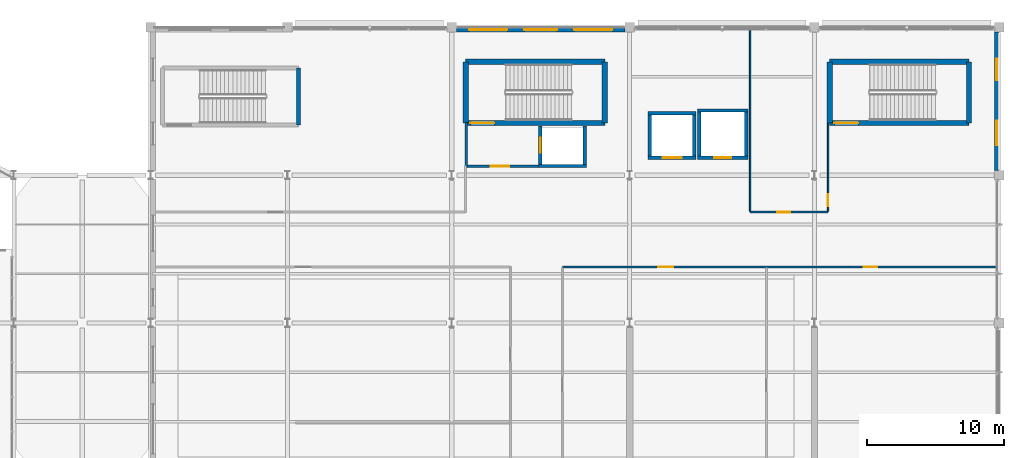
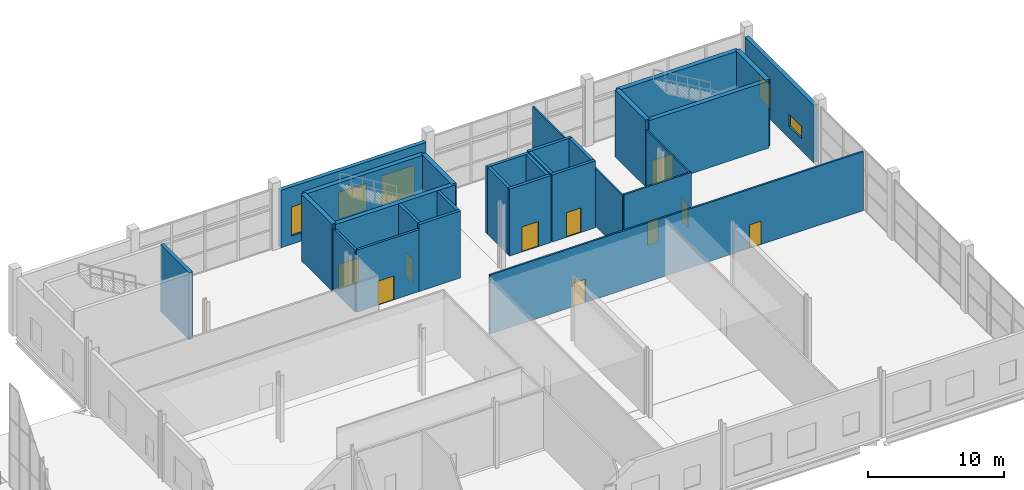
# One storey, part 174 of 191: 28 walls, 10 doors, 5 windows, 15 openings.
"""IFC4 building model written with IfcOpenShell, lengths in metres."""

from ifc_helpers import new_model, si_unit, direction, frame, frame_2d, origin, place, context, subcontext, project, spatial, rectangle, extrude, material, layer, layer_set, type_object, element, fill, save


model = new_model("IFC4")

# Units and contexts
model_context = context("Model", 3, precision=1e-05, world=origin(), true_north=direction((0.0, 1.0)))
body_context = subcontext(model_context, "Body", "Model", "MODEL_VIEW")
ifc_project = project(units=[si_unit("LENGTHUNIT", "METRE"), si_unit("AREAUNIT", "SQUARE_METRE"), si_unit("VOLUMEUNIT", "CUBIC_METRE"), si_unit("PLANEANGLEUNIT", "RADIAN"), si_unit("MASSUNIT", "GRAM", prefix="KILO")], contexts=[model_context])

# Site, building, storey
site_placement = place(None, origin())
site = spatial("IfcSite", under=ifc_project, at=site_placement, CompositionType="ELEMENT")
building_placement = place(site_placement, origin())
building = spatial("IfcBuilding", under=site, at=building_placement, Name="Tamarisk Ironworks Central Station", CompositionType="ELEMENT")
storey_placement = place(building_placement, frame((0.0, 0.0, 6.60009765625)))
storey = spatial("IfcBuildingStorey", under=building, at=storey_placement, Name="L01", CompositionType="ELEMENT", Elevation=6.60009765625)

# Wall, openings, windows
ifc_material_1 = material(Name="Clay facing brickwork and mortar", Category="masonry")
ifc_layer_1 = layer(ifc_material_1, 0.340087890625)
ifc_layer_set_1 = layer_set([ifc_layer_1], Name="Clay facing brickwork and mortar")
wall_type_1 = type_object("IfcWallType", Name="WL-BR340", PredefinedType="STANDARD", material=ifc_layer_set_1)
wall_1_placement = place(storey_placement, frame((140.347900390625, 122.22998046875, 0.0), z_axis=(0.0, 0.0, 1.0), x_axis=(1.0, 0.0, 0.0)))
wall_1 = element("IfcWall", 1, at=wall_1_placement, inside=storey, type_object=wall_type_1, Name="L01 brick facade wall 0055", PredefinedType="STANDARD", context=body_context, shape_type="SweptSolid", body=[
    extrude(rectangle(XDim=12.30419921875, YDim=0.340087890625, at=frame_2d((6.152099609375, 0.0))), origin(), (0.0, 0.0, 1.0), 5.14990234375),
])
opening_1_placement = place(wall_1_placement, frame((0.9169921875, 0.0, 0.75)))
opening_1 = element("IfcOpeningElement", 2, at=opening_1_placement, cuts=wall_1, Name="Opening W04", PredefinedType="OPENING", context=body_context, shape_type="SweptSolid", body=[
    extrude(rectangle(XDim=2.800048828125, YDim=2.60009765625, at=frame_2d((1.39990234375, 1.300048828125))), frame((0.0, 0.18212890625, 0.0), z_axis=(0.0, -1.0, 0.0), x_axis=(1.0, 0.0, 0.0)), (0.0, 0.0, 1.0), 0.364013671875),
])
opening_2_placement = place(wall_1_placement, frame((4.951904296875, 0.0, 0.75)))
opening_2 = element("IfcOpeningElement", 3, at=opening_2_placement, cuts=wall_1, Name="Opening W06", PredefinedType="OPENING", context=body_context, shape_type="SweptSolid", body=[
    extrude(rectangle(XDim=2.39990234375, YDim=2.39990234375, at=frame_2d((1.199951171875, 1.199951171875))), frame((0.0, 0.18212890625, 0.0), z_axis=(0.0, -1.0, 0.0), x_axis=(1.0, 0.0, 0.0)), (0.0, 0.0, 1.0), 0.364013671875),
])
opening_3_placement = place(wall_1_placement, frame((8.5869140625, 0.0, 0.75)))
opening_3 = element("IfcOpeningElement", 4, at=opening_3_placement, cuts=wall_1, Name="Opening W04", PredefinedType="OPENING", context=body_context, shape_type="SweptSolid", body=[
    extrude(rectangle(XDim=2.800048828125, YDim=2.60009765625, at=frame_2d((1.39990234375, 1.300048828125))), frame((0.0, 0.18212890625, 0.0), z_axis=(0.0, -1.0, 0.0), x_axis=(1.0, 0.0, 0.0)), (0.0, 0.0, 1.0), 0.364013671875),
])
ifc_material_2 = material(Name="Laminated solar-control low-E glass", Category="glass")
window_type_1 = type_object("IfcWindowType", Name="WN-04", PartitioningType="SINGLE_PANEL", PredefinedType="WINDOW", material=ifc_material_2)
window_1_placement = place(opening_1_placement, origin())
window_1 = element("IfcWindow", 5, at=window_1_placement, inside=storey, type_object=window_type_1, Name="L01 exterior window 0078", OverallHeight=2.60009765625, OverallWidth=2.800048828125, PartitioningType="DOUBLE_PANEL_VERTICAL", PredefinedType="WINDOW", context=body_context, shape_type="SweptSolid", body=[
    extrude(rectangle(XDim=2.800048828125, YDim=2.60009765625, at=frame_2d((1.39990234375, 1.300048828125))), frame((0.0, 0.030029296875, 0.0), z_axis=(0.0, -1.0, 0.0), x_axis=(1.0, 0.0, 0.0)), (0.0, 0.0, 1.0), 0.06005859375),
])
fill(opening_1, window_1)
window_2_placement = place(opening_3_placement, origin())
window_2 = element("IfcWindow", 6, at=window_2_placement, inside=storey, type_object=window_type_1, Name="L01 exterior window 0080", OverallHeight=2.60009765625, OverallWidth=2.800048828125, PartitioningType="DOUBLE_PANEL_VERTICAL", PredefinedType="WINDOW", context=body_context, shape_type="SweptSolid", body=[
    extrude(rectangle(XDim=2.800048828125, YDim=2.60009765625, at=frame_2d((1.39990234375, 1.300048828125))), frame((0.0, 0.030029296875, 0.0), z_axis=(0.0, -1.0, 0.0), x_axis=(1.0, 0.0, 0.0)), (0.0, 0.0, 1.0), 0.06005859375),
])
fill(opening_3, window_2)
window_type_2 = type_object("IfcWindowType", Name="WN-06", PartitioningType="SINGLE_PANEL", PredefinedType="WINDOW", material=ifc_material_2)
window_3_placement = place(opening_2_placement, origin())
window_3 = element("IfcWindow", 7, at=window_3_placement, inside=storey, type_object=window_type_2, Name="L01 exterior window 0079", OverallHeight=2.39990234375, OverallWidth=2.39990234375, PartitioningType="DOUBLE_PANEL_VERTICAL", PredefinedType="WINDOW", context=body_context, shape_type="SweptSolid", body=[
    extrude(rectangle(XDim=2.39990234375, YDim=2.39990234375, at=frame_2d((1.199951171875, 1.199951171875))), frame((0.0, 0.030029296875, 0.0), z_axis=(0.0, -1.0, 0.0), x_axis=(1.0, 0.0, 0.0)), (0.0, 0.0, 1.0), 0.06005859375),
])
fill(opening_2, window_3)

wall_2_placement = place(storey_placement, frame((179.830078125, 122.052001953125, 0.0), z_axis=(0.0, 0.0, 1.0), x_axis=(0.0, -1.0, 0.0)))
wall_2 = element("IfcWall", 8, at=wall_2_placement, inside=storey, type_object=wall_type_1, Name="L01 brick facade wall 0056", PredefinedType="STANDARD", context=body_context, shape_type="SweptSolid", body=[
    extrude(rectangle(XDim=10.10400390625, YDim=0.340087890625, at=frame_2d((5.052001953125, 0.0))), origin(), (0.0, 0.0, 1.0), 5.14990234375),
])
opening_4_placement = place(wall_2_placement, frame((1.926025390625, 0.0, 0.75)))
opening_4 = element("IfcOpeningElement", 9, at=opening_4_placement, cuts=wall_2, Name="Opening W10", PredefinedType="OPENING", context=body_context, shape_type="SweptSolid", body=[
    extrude(rectangle(XDim=1.60009765625, YDim=2.10009765625, at=frame_2d((0.800048828125, 1.050048828125))), frame((0.0, 0.18212890625, 0.0), z_axis=(0.0, -1.0, 0.0), x_axis=(1.0, 0.0, 0.0)), (0.0, 0.0, 1.0), 0.364013671875),
])
opening_5_placement = place(wall_2_placement, frame((6.47802734375, 0.0, 1.050048828125)))
opening_5 = element("IfcOpeningElement", 10, at=opening_5_placement, cuts=wall_2, Name="Opening W18", PredefinedType="OPENING", context=body_context, shape_type="SweptSolid", body=[
    extrude(rectangle(XDim=1.800048828125, YDim=1.10009765625, at=frame_2d((0.89990234375, 0.550048828125))), frame((0.0, 0.18212890625, 0.0), z_axis=(0.0, -1.0, 0.0), x_axis=(1.0, 0.0, 0.0)), (0.0, 0.0, 1.0), 0.364013671875),
])
window_type_3 = type_object("IfcWindowType", Name="WN-10", PartitioningType="SINGLE_PANEL", PredefinedType="WINDOW", material=ifc_material_2)
window_4_placement = place(opening_4_placement, origin())
window_4 = element("IfcWindow", 11, at=window_4_placement, inside=storey, type_object=window_type_3, Name="L01 exterior window 0081", OverallHeight=2.10009765625, OverallWidth=1.60009765625, PartitioningType="DOUBLE_PANEL_VERTICAL", PredefinedType="WINDOW", context=body_context, shape_type="SweptSolid", body=[
    extrude(rectangle(XDim=1.60009765625, YDim=2.10009765625, at=frame_2d((0.800048828125, 1.050048828125))), frame((0.0, 0.030029296875, 0.0), z_axis=(0.0, -1.0, 0.0), x_axis=(1.0, 0.0, 0.0)), (0.0, 0.0, 1.0), 0.06005859375),
])
fill(opening_4, window_4)
window_type_4 = type_object("IfcWindowType", Name="WN-18", PartitioningType="SINGLE_PANEL", PredefinedType="WINDOW", material=ifc_material_2)
window_5_placement = place(opening_5_placement, origin())
window_5 = element("IfcWindow", 12, at=window_5_placement, inside=storey, type_object=window_type_4, Name="L01 exterior window 0082", OverallHeight=1.10009765625, OverallWidth=1.800048828125, PartitioningType="DOUBLE_PANEL_VERTICAL", PredefinedType="WINDOW", context=body_context, shape_type="SweptSolid", body=[
    extrude(rectangle(XDim=1.800048828125, YDim=1.10009765625, at=frame_2d((0.89990234375, 0.550048828125))), frame((0.0, 0.030029296875, 0.0), z_axis=(0.0, -1.0, 0.0), x_axis=(1.0, 0.0, 0.0)), (0.0, 0.0, 1.0), 0.06005859375),
])
fill(opening_5, window_5)

# Wall
ifc_material_3 = material(Name="Concrete C50/60", Category="concrete")
ifc_layer_2 = layer(ifc_material_3, 0.300048828125)
ifc_layer_set_2 = layer_set([ifc_layer_2], Name="Concrete C50/60")
wall_type_2 = type_object("IfcWallType", Name="WL-CW300", PredefinedType="SOLIDWALL", material=ifc_layer_set_2)
wall_3_placement = place(storey_placement, frame((128.794921875, 115.2548828125, 0.0), z_axis=(0.0, 0.0, 1.0), x_axis=(0.0, 1.0, 0.0)))
element("IfcWall", 13, at=wall_3_placement, inside=storey, type_object=wall_type_2, Name="ST-C5 core wall F (L01)", PredefinedType="SOLIDWALL", context=body_context, shape_type="SweptSolid", body=[
    extrude(rectangle(XDim=4.190185546875, YDim=0.300048828125, at=frame_2d((2.09521484375, 0.0))), origin(), (0.0, 0.0, 1.0), 6.0),
])

# Wall, opening, door
ifc_layer_3 = layer(ifc_material_3, 0.3798828125)
ifc_layer_set_3 = layer_set([ifc_layer_3], Name="Concrete C50/60")
wall_type_3 = type_object("IfcWallType", Name="WL-CW380", PredefinedType="SOLIDWALL", material=ifc_layer_set_3)
wall_4_placement = place(storey_placement, frame((141.014892578125, 115.4150390625, 0.0), z_axis=(0.0, 0.0, 1.0), x_axis=(1.0, 0.0, 0.0)))
wall_4 = element("IfcWall", 14, at=wall_4_placement, inside=storey, type_object=wall_type_3, Name="ST-C1 core wall L (L01)", PredefinedType="SOLIDWALL", context=body_context, shape_type="SweptSolid", body=[
    extrude(rectangle(XDim=10.170166015625, YDim=0.3798828125, at=frame_2d((5.0849609375, 0.0))), origin(), (0.0, 0.0, 1.0), 6.0),
])
opening_6_placement = place(wall_4_placement, frame((0.35009765625, 0.0, 0.0048828125)))
opening_6 = element("IfcOpeningElement", 15, at=opening_6_placement, cuts=wall_4, Name="Opening FD03", PredefinedType="OPENING", context=body_context, shape_type="SweptSolid", body=[
    extrude(rectangle(XDim=1.75, YDim=2.199951171875, at=frame_2d((0.875, 1.10009765625))), frame((0.0, 0.201904296875, 0.0), z_axis=(0.0, -1.0, 0.0), x_axis=(1.0, 0.0, 0.0)), (0.0, 0.0, 1.0), 0.40380859375),
])
ifc_material_4 = material(Name="Galvanised hollow-metal door steel", Category="steel")
door_type_1 = type_object("IfcDoorType", Name="DR-FD03", OperationType="NOTDEFINED", PredefinedType="DOOR", material=ifc_material_4)
door_1_placement = place(opening_6_placement, origin())
door_1 = element("IfcDoor", 16, at=door_1_placement, inside=storey, type_object=door_type_1, Name="ST-C1 fire stair door (L01)", OperationType="SINGLE_SWING_RIGHT", OverallHeight=2.199951171875, OverallWidth=1.75, PredefinedType="DOOR", context=body_context, shape_type="SweptSolid", body=[
    extrude(rectangle(XDim=1.75, YDim=2.199951171875, at=frame_2d((0.875, 1.10009765625))), frame((0.0, 0.02490234375, 0.0), z_axis=(0.0, -1.0, 0.0), x_axis=(1.0, 0.0, 0.0)), (0.0, 0.0, 1.0), 0.050048828125),
])
fill(opening_6, door_1)

# Walls
wall_5_placement = place(storey_placement, frame((141.014892578125, 119.885009765625, 0.0), z_axis=(0.0, 0.0, 1.0), x_axis=(1.0, 0.0, 0.0)))
element("IfcWall", 17, at=wall_5_placement, inside=storey, type_object=wall_type_3, Name="ST-C1 core wall R (L01)", PredefinedType="SOLIDWALL", context=body_context, shape_type="SweptSolid", body=[
    extrude(rectangle(XDim=10.170166015625, YDim=0.3798828125, at=frame_2d((5.0849609375, 0.0))), origin(), (0.0, 0.0, 1.0), 6.0),
])
for number, where, z_axis, x_axis, name in (
    (18, (141.014892578125, 115.4150390625, 0.0), (0.0, 0.0, 1.0), (0.0, 1.0, 0.0), "ST-C1 core wall N (L01)"),
    (19, (151.18505859375, 115.4150390625, 0.0), (0.0, 0.0, 1.0), (0.0, 1.0, 0.0), "ST-C1 core wall F (L01)"),
):
    element("IfcWall", number, at=place(storey_placement, frame(where, z_axis=z_axis, x_axis=x_axis)), inside=storey, type_object=wall_type_3, Name=name, PredefinedType="SOLIDWALL", context=body_context, shape_type="SweptSolid", body=[
        extrude(rectangle(XDim=4.469970703125, YDim=0.3798828125, at=frame_2d((2.23486328125, 0.0))), origin(), (0.0, 0.0, 1.0), 6.0),
    ])

# Wall, opening, door
wall_6_placement = place(storey_placement, frame((167.614990234375, 115.4150390625, 0.0), z_axis=(0.0, 0.0, 1.0), x_axis=(1.0, 0.0, 0.0)))
wall_6 = element("IfcWall", 20, at=wall_6_placement, inside=storey, type_object=wall_type_3, Name="ST-C2 core wall L (L01)", PredefinedType="SOLIDWALL", context=body_context, shape_type="SweptSolid", body=[
    extrude(rectangle(XDim=10.169921875, YDim=0.3798828125, at=frame_2d((5.0849609375, 0.0))), origin(), (0.0, 0.0, 1.0), 6.0),
])
opening_7_placement = place(wall_6_placement, frame((0.35009765625, 0.0, 0.0048828125)))
opening_7 = element("IfcOpeningElement", 21, at=opening_7_placement, cuts=wall_6, Name="Opening FD03", PredefinedType="OPENING", context=body_context, shape_type="SweptSolid", body=[
    extrude(rectangle(XDim=1.75, YDim=2.199951171875, at=frame_2d((0.875, 1.10009765625))), frame((0.0, 0.201904296875, 0.0), z_axis=(0.0, -1.0, 0.0), x_axis=(1.0, 0.0, 0.0)), (0.0, 0.0, 1.0), 0.40380859375),
])
door_2_placement = place(opening_7_placement, origin())
door_2 = element("IfcDoor", 22, at=door_2_placement, inside=storey, type_object=door_type_1, Name="ST-C2 fire stair door (L01)", OperationType="SINGLE_SWING_RIGHT", OverallHeight=2.199951171875, OverallWidth=1.75, PredefinedType="DOOR", context=body_context, shape_type="SweptSolid", body=[
    extrude(rectangle(XDim=1.75, YDim=2.199951171875, at=frame_2d((0.875, 1.10009765625))), frame((0.0, 0.02490234375, 0.0), z_axis=(0.0, -1.0, 0.0), x_axis=(1.0, 0.0, 0.0)), (0.0, 0.0, 1.0), 0.050048828125),
])
fill(opening_7, door_2)

# Walls
wall_7_placement = place(storey_placement, frame((167.614990234375, 119.885009765625, 0.0), z_axis=(0.0, 0.0, 1.0), x_axis=(1.0, 0.0, 0.0)))
element("IfcWall", 23, at=wall_7_placement, inside=storey, type_object=wall_type_3, Name="ST-C2 core wall R (L01)", PredefinedType="SOLIDWALL", context=body_context, shape_type="SweptSolid", body=[
    extrude(rectangle(XDim=10.169921875, YDim=0.3798828125, at=frame_2d((5.0849609375, 0.0))), origin(), (0.0, 0.0, 1.0), 6.0),
])
for number, where, z_axis, x_axis, name in (
    (24, (167.614990234375, 115.4150390625, 0.0), (0.0, 0.0, 1.0), (0.0, 1.0, 0.0), "ST-C2 core wall N (L01)"),
    (25, (177.784912109375, 115.4150390625, 0.0), (0.0, 0.0, 1.0), (0.0, 1.0, 0.0), "ST-C2 core wall F (L01)"),
):
    element("IfcWall", number, at=place(storey_placement, frame(where, z_axis=z_axis, x_axis=x_axis)), inside=storey, type_object=wall_type_3, Name=name, PredefinedType="SOLIDWALL", context=body_context, shape_type="SweptSolid", body=[
        extrude(rectangle(XDim=4.469970703125, YDim=0.3798828125, at=frame_2d((2.23486328125, 0.0))), origin(), (0.0, 0.0, 1.0), 6.0),
    ])

# Wall, opening, door
ifc_material_5 = material(Name="Gypsum plasterboard acoustic partition")
ifc_layer_4 = layer(ifc_material_5, 0.1201171875)
ifc_layer_set_4 = layer_set([ifc_layer_4], Name="Gypsum plasterboard acoustic partition")
wall_type_4 = type_object("IfcWallType", Name="WL-PT120", PredefinedType="PARTITIONING", material=ifc_layer_set_4)
wall_8_placement = place(storey_placement, frame((167.5, 108.972900390625, 0.0), z_axis=(0.0, 0.0, 1.0), x_axis=(0.0, 1.0, 0.0)))
wall_8 = element("IfcWall", 26, at=wall_8_placement, inside=storey, type_object=wall_type_4, Name="L01 interior partition 0082", PredefinedType="PARTITIONING", context=body_context, shape_type="SweptSolid", body=[
    extrude(rectangle(XDim=6.427001953125, YDim=0.1201171875, at=frame_2d((3.21337890625, 0.0))), origin(), (0.0, 0.0, 1.0), 5.139892578125),
])
opening_8_placement = place(wall_8_placement, frame((0.35009765625, 0.0, 0.0048828125)))
opening_8 = element("IfcOpeningElement", 27, at=opening_8_placement, cuts=wall_8, Name="Opening D08", PredefinedType="OPENING", context=body_context, shape_type="SweptSolid", body=[
    extrude(rectangle(XDim=0.89990234375, YDim=2.10009765625, at=frame_2d((0.449951171875, 1.050048828125))), frame((0.0, 0.072021484375, 0.0), z_axis=(0.0, -1.0, 0.0), x_axis=(1.0, 0.0, 0.0)), (0.0, 0.0, 1.0), 0.14404296875),
])
ifc_material_6 = material(Name="FSC certified tropical hardwood timber", Category="wood")
door_type_2 = type_object("IfcDoorType", Name="DR-ID08", OperationType="NOTDEFINED", PredefinedType="DOOR", material=ifc_material_6)
door_3_placement = place(opening_8_placement, origin())
door_3 = element("IfcDoor", 28, at=door_3_placement, inside=storey, type_object=door_type_2, Name="L01 room door 0060", OperationType="SINGLE_SWING_RIGHT", OverallHeight=2.10009765625, OverallWidth=0.89990234375, PredefinedType="DOOR", context=body_context, shape_type="SweptSolid", body=[
    extrude(rectangle(XDim=0.89990234375, YDim=2.10009765625, at=frame_2d((0.449951171875, 1.050048828125))), frame((0.0, 0.02490234375, 0.0), z_axis=(0.0, -1.0, 0.0), x_axis=(1.0, 0.0, 0.0)), (0.0, 0.0, 1.0), 0.050048828125),
])
fill(opening_8, door_3)

# Wall
wall_9_placement = place(storey_placement, frame((161.800048828125, 108.972900390625, 0.0), z_axis=(0.0, 0.0, 1.0), x_axis=(0.0, 1.0, 0.0)))
element("IfcWall", 29, at=wall_9_placement, inside=storey, type_object=wall_type_4, Name="L01 interior partition 0083", PredefinedType="PARTITIONING", context=body_context, shape_type="SweptSolid", body=[
    extrude(rectangle(XDim=13.189208984375, YDim=0.1201171875, at=frame_2d((6.5947265625, 0.0))), origin(), (0.0, 0.0, 1.0), 5.139892578125),
])

# Wall, openings, doors
ifc_layer_5 = layer(ifc_material_5, 0.14990234375)
ifc_layer_set_5 = layer_set([ifc_layer_5], Name="Gypsum plasterboard acoustic partition")
wall_type_5 = type_object("IfcWallType", Name="WL-PT150", PredefinedType="PARTITIONING", material=ifc_layer_set_5)
wall_10_placement = place(storey_placement, frame((148.10009765625, 104.89990234375, 0.0), z_axis=(0.0, 0.0, 1.0), x_axis=(1.0, 0.0, 0.0)))
wall_10 = element("IfcWall", 30, at=wall_10_placement, inside=storey, type_object=wall_type_5, Name="L01 interior partition 0074", PredefinedType="PARTITIONING", context=body_context, shape_type="SweptSolid", body=[
    extrude(rectangle(XDim=31.661865234375, YDim=0.14990234375, at=frame_2d((15.8310546875, 0.0))), origin(), (0.0, 0.0, 1.0), 5.289794921875),
])
opening_9_placement = place(wall_10_placement, frame((7.0, 0.0, 0.0048828125)))
opening_9 = element("IfcOpeningElement", 31, at=opening_9_placement, cuts=wall_10, Name="Opening D05", PredefinedType="OPENING", context=body_context, shape_type="SweptSolid", body=[
    extrude(rectangle(XDim=1.10009765625, YDim=2.10009765625, at=frame_2d((0.550048828125, 1.050048828125))), frame((0.0, 0.0869140625, 0.0), z_axis=(0.0, -1.0, 0.0), x_axis=(1.0, 0.0, 0.0)), (0.0, 0.0, 1.0), 0.173828125),
])
opening_10_placement = place(wall_10_placement, frame((22.0, 0.0, 0.0048828125)))
opening_10 = element("IfcOpeningElement", 32, at=opening_10_placement, cuts=wall_10, Name="Opening D06", PredefinedType="OPENING", context=body_context, shape_type="SweptSolid", body=[
    extrude(rectangle(XDim=1.0, YDim=2.10009765625, at=frame_2d((0.5, 1.050048828125))), frame((0.0, 0.0869140625, 0.0), z_axis=(0.0, -1.0, 0.0), x_axis=(1.0, 0.0, 0.0)), (0.0, 0.0, 1.0), 0.173828125),
])
door_type_3 = type_object("IfcDoorType", Name="DR-ID05", OperationType="NOTDEFINED", PredefinedType="DOOR", material=ifc_material_6)
door_4_placement = place(opening_9_placement, origin())
door_4 = element("IfcDoor", 33, at=door_4_placement, inside=storey, type_object=door_type_3, Name="L01 room door 0054", OperationType="SINGLE_SWING_RIGHT", OverallHeight=2.10009765625, OverallWidth=1.10009765625, PredefinedType="DOOR", context=body_context, shape_type="SweptSolid", body=[
    extrude(rectangle(XDim=1.10009765625, YDim=2.10009765625, at=frame_2d((0.550048828125, 1.050048828125))), frame((0.0, 0.02490234375, 0.0), z_axis=(0.0, -1.0, 0.0), x_axis=(1.0, 0.0, 0.0)), (0.0, 0.0, 1.0), 0.050048828125),
])
fill(opening_9, door_4)
door_type_4 = type_object("IfcDoorType", Name="DR-ID06", OperationType="NOTDEFINED", PredefinedType="DOOR", material=ifc_material_6)
door_5_placement = place(opening_10_placement, origin())
door_5 = element("IfcDoor", 34, at=door_5_placement, inside=storey, type_object=door_type_4, Name="L01 room door 0055", OperationType="SINGLE_SWING_LEFT", OverallHeight=2.10009765625, OverallWidth=1.0, PredefinedType="DOOR", context=body_context, shape_type="SweptSolid", body=[
    extrude(rectangle(XDim=1.0, YDim=2.10009765625, at=frame_2d((0.5, 1.050048828125))), frame((0.0, 0.02490234375, 0.0), z_axis=(0.0, -1.0, 0.0), x_axis=(1.0, 0.0, 0.0)), (0.0, 0.0, 1.0), 0.050048828125),
])
fill(opening_10, door_5)

# Wall, opening, door
wall_11_placement = place(storey_placement, frame((161.800048828125, 108.89990234375, 0.0), z_axis=(0.0, 0.0, 1.0), x_axis=(1.0, 0.0, 0.0)))
wall_11 = element("IfcWall", 35, at=wall_11_placement, inside=storey, type_object=wall_type_5, Name="L01 interior partition 0081", PredefinedType="PARTITIONING", context=body_context, shape_type="SweptSolid", body=[
    extrude(rectangle(XDim=5.699951171875, YDim=0.14990234375, at=frame_2d((2.85009765625, 0.0))), origin(), (0.0, 0.0, 1.0), 5.289794921875),
])
opening_11_placement = place(wall_11_placement, frame((2.0, 0.0, 0.0048828125)))
opening_11 = element("IfcOpeningElement", 36, at=opening_11_placement, cuts=wall_11, Name="Opening D07", PredefinedType="OPENING", context=body_context, shape_type="SweptSolid", body=[
    extrude(rectangle(XDim=0.949951171875, YDim=2.10009765625, at=frame_2d((0.47509765625, 1.050048828125))), frame((0.0, 0.0869140625, 0.0), z_axis=(0.0, -1.0, 0.0), x_axis=(1.0, 0.0, 0.0)), (0.0, 0.0, 1.0), 0.173828125),
])
door_type_5 = type_object("IfcDoorType", Name="DR-ID07", OperationType="NOTDEFINED", PredefinedType="DOOR", material=ifc_material_6)
door_6_placement = place(opening_11_placement, origin())
door_6 = element("IfcDoor", 37, at=door_6_placement, inside=storey, type_object=door_type_5, Name="L01 room door 0059", OperationType="SINGLE_SWING_LEFT", OverallHeight=2.10009765625, OverallWidth=0.949951171875, PredefinedType="DOOR", context=body_context, shape_type="SweptSolid", body=[
    extrude(rectangle(XDim=0.949951171875, YDim=2.10009765625, at=frame_2d((0.47509765625, 1.050048828125))), frame((0.0, 0.02490234375, 0.0), z_axis=(0.0, -1.0, 0.0), x_axis=(1.0, 0.0, 0.0)), (0.0, 0.0, 1.0), 0.050048828125),
])
fill(opening_11, door_6)

ifc_layer_6 = layer(ifc_material_1, 0.199951171875)
ifc_layer_set_6 = layer_set([ifc_layer_6], Name="Clay facing brickwork and mortar")
wall_type_6 = type_object("IfcWallType", Name="WL-PT200", PredefinedType="PARTITIONING", material=ifc_layer_set_6)
wall_12_placement = place(storey_placement, frame((141.050048828125, 112.25, 0.0), z_axis=(0.0, 0.0, 1.0), x_axis=(1.0, 0.0, 0.0)))
wall_12 = element("IfcWall", 38, at=wall_12_placement, inside=storey, type_object=wall_type_6, Name="Firefighting lift lobby south wall (L01)", PredefinedType="PARTITIONING", context=body_context, shape_type="SweptSolid", body=[
    extrude(rectangle(XDim=5.300048828125, YDim=0.199951171875, at=frame_2d((2.64990234375, 0.0))), origin(), (0.0, 0.0, 1.0), 5.5498046875),
])
opening_12_placement = place(wall_12_placement, frame((1.800048828125, 0.0, 0.0048828125)))
opening_12 = element("IfcOpeningElement", 39, at=opening_12_placement, cuts=wall_12, Name="Opening FD05", PredefinedType="OPENING", context=body_context, shape_type="SweptSolid", body=[
    extrude(rectangle(XDim=1.35009765625, YDim=2.14990234375, at=frame_2d((0.675048828125, 1.074951171875))), frame((0.0, 0.11181640625, 0.0), z_axis=(0.0, -1.0, 0.0), x_axis=(1.0, 0.0, 0.0)), (0.0, 0.0, 1.0), 0.223876953125),
])
door_type_6 = type_object("IfcDoorType", Name="DR-FD05", OperationType="NOTDEFINED", PredefinedType="DOOR", material=ifc_material_4)
door_7_placement = place(opening_12_placement, origin())
door_7 = element("IfcDoor", 40, at=door_7_placement, inside=storey, type_object=door_type_6, Name="Firefighting lift lobby fire door (L01)", OperationType="SINGLE_SWING_RIGHT", OverallHeight=2.14990234375, OverallWidth=1.35009765625, PredefinedType="DOOR", context=body_context, shape_type="SweptSolid", body=[
    extrude(rectangle(XDim=1.35009765625, YDim=2.14990234375, at=frame_2d((0.675048828125, 1.074951171875))), frame((0.0, 0.02490234375, 0.0), z_axis=(0.0, -1.0, 0.0), x_axis=(1.0, 0.0, 0.0)), (0.0, 0.0, 1.0), 0.050048828125),
])
fill(opening_12, door_7)

# Walls
wall_13_placement = place(storey_placement, frame((141.050048828125, 112.25, 0.0), z_axis=(0.0, 0.0, 1.0), x_axis=(0.0, 1.0, 0.0)))
element("IfcWall", 41, at=wall_13_placement, inside=storey, type_object=wall_type_6, Name="Firefighting lift lobby west wall (L01)", PredefinedType="PARTITIONING", context=body_context, shape_type="SweptSolid", body=[
    extrude(rectangle(XDim=3.199951171875, YDim=0.199951171875, at=frame_2d((1.60009765625, 0.0))), origin(), (0.0, 0.0, 1.0), 5.5498046875),
])
ifc_layer_7 = layer(ifc_material_3, 0.25)
ifc_layer_set_7 = layer_set([ifc_layer_7], Name="Concrete C50/60")
wall_type_7 = type_object("IfcWallType", Name="WL-SH250", PredefinedType="SOLIDWALL", material=ifc_layer_set_7)
wall_14_placement = place(storey_placement, frame((146.35009765625, 112.27490234375, 0.0), z_axis=(0.0, 0.0, 1.0), x_axis=(1.0, 0.0, 0.0)))
element("IfcWall", 42, at=wall_14_placement, inside=storey, type_object=wall_type_7, Name="LF-FF1 lift shaft wall S (L01)", PredefinedType="SOLIDWALL", context=body_context, shape_type="SweptSolid", body=[
    extrude(rectangle(XDim=3.5, YDim=0.25, at=frame_2d((1.75, 0.0))), origin(), (0.0, 0.0, 1.0), 6.0),
])

# Wall, opening, door
wall_15_placement = place(storey_placement, frame((146.47509765625, 112.39990234375, 0.0), z_axis=(0.0, 0.0, 1.0), x_axis=(0.0, 1.0, 0.0)))
wall_15 = element("IfcWall", 43, at=wall_15_placement, inside=storey, type_object=wall_type_7, Name="LF-FF1 lift shaft wall W (L01)", PredefinedType="SOLIDWALL", context=body_context, shape_type="SweptSolid", body=[
    extrude(rectangle(XDim=2.800048828125, YDim=0.25, at=frame_2d((1.39990234375, 0.0))), origin(), (0.0, 0.0, 1.0), 6.0),
])
opening_13_placement = place(wall_15_placement, frame((0.85009765625, 0.0, 0.0048828125)))
opening_13 = element("IfcOpeningElement", 44, at=opening_13_placement, cuts=wall_15, Name="Opening LD03", PredefinedType="OPENING", context=body_context, shape_type="SweptSolid", body=[
    extrude(rectangle(XDim=1.10009765625, YDim=2.14990234375, at=frame_2d((0.550048828125, 1.074951171875))), frame((0.0, 0.136962890625, 0.0), z_axis=(0.0, -1.0, 0.0), x_axis=(1.0, 0.0, 0.0)), (0.0, 0.0, 1.0), 0.27392578125),
])
ifc_material_7 = material(Name="Brushed stainless steel AISI 316", Category="steel")
door_type_7 = type_object("IfcDoorType", Name="DR-LD03", OperationType="NOTDEFINED", PredefinedType="DOOR", material=ifc_material_7)
door_8_placement = place(opening_13_placement, origin())
door_8 = element("IfcDoor", 45, at=door_8_placement, inside=storey, type_object=door_type_7, Name="LF-FF1 sliding lift landing door (L01)", OperationType="SLIDING_TO_LEFT", OverallHeight=2.14990234375, OverallWidth=1.10009765625, PredefinedType="DOOR", context=body_context, shape_type="SweptSolid", body=[
    extrude(rectangle(XDim=1.10009765625, YDim=2.14990234375, at=frame_2d((0.550048828125, 1.074951171875))), frame((0.0, 0.02490234375, 0.0), z_axis=(0.0, -1.0, 0.0), x_axis=(1.0, 0.0, 0.0)), (0.0, 0.0, 1.0), 0.050048828125),
])
fill(opening_13, door_8)

# Wall
wall_16_placement = place(storey_placement, frame((149.72509765625, 112.39990234375, 0.0), z_axis=(0.0, 0.0, 1.0), x_axis=(0.0, 1.0, 0.0)))
element("IfcWall", 46, at=wall_16_placement, inside=storey, type_object=wall_type_7, Name="LF-FF1 lift shaft wall E (L01)", PredefinedType="SOLIDWALL", context=body_context, shape_type="SweptSolid", body=[
    extrude(rectangle(XDim=2.800048828125, YDim=0.25, at=frame_2d((1.39990234375, 0.0))), origin(), (0.0, 0.0, 1.0), 6.0),
])

# Wall, opening, door
wall_17_placement = place(storey_placement, frame((154.35009765625, 112.875, 0.0), z_axis=(0.0, 0.0, 1.0), x_axis=(1.0, 0.0, 0.0)))
wall_17 = element("IfcWall", 47, at=wall_17_placement, inside=storey, type_object=wall_type_7, Name="LF-O1 lift shaft wall S (L01)", PredefinedType="SOLIDWALL", context=body_context, shape_type="SweptSolid", body=[
    extrude(rectangle(XDim=3.5, YDim=0.25, at=frame_2d((1.75, 0.0))), origin(), (0.0, 0.0, 1.0), 6.0),
])
opening_14_placement = place(wall_17_placement, frame((1.050048828125, 0.0, 0.0048828125)))
opening_14 = element("IfcOpeningElement", 48, at=opening_14_placement, cuts=wall_17, Name="Opening LD01", PredefinedType="OPENING", context=body_context, shape_type="SweptSolid", body=[
    extrude(rectangle(XDim=1.39990234375, YDim=2.25, at=frame_2d((0.699951171875, 1.125))), frame((0.0, 0.136962890625, 0.0), z_axis=(0.0, -1.0, 0.0), x_axis=(1.0, 0.0, 0.0)), (0.0, 0.0, 1.0), 0.27392578125),
])
door_type_8 = type_object("IfcDoorType", Name="DR-LD01", OperationType="NOTDEFINED", PredefinedType="DOOR", material=ifc_material_7)
door_9_placement = place(opening_14_placement, origin())
door_9 = element("IfcDoor", 49, at=door_9_placement, inside=storey, type_object=door_type_8, Name="LF-O1 sliding lift landing door (L01)", OperationType="SLIDING_TO_LEFT", OverallHeight=2.25, OverallWidth=1.39990234375, PredefinedType="DOOR", context=body_context, shape_type="SweptSolid", body=[
    extrude(rectangle(XDim=1.39990234375, YDim=2.25, at=frame_2d((0.699951171875, 1.125))), frame((0.0, 0.02490234375, 0.0), z_axis=(0.0, -1.0, 0.0), x_axis=(1.0, 0.0, 0.0)), (0.0, 0.0, 1.0), 0.050048828125),
])
fill(opening_14, door_9)

# Walls
wall_18_placement = place(storey_placement, frame((154.35009765625, 116.125, 0.0), z_axis=(0.0, 0.0, 1.0), x_axis=(1.0, 0.0, 0.0)))
element("IfcWall", 50, at=wall_18_placement, inside=storey, type_object=wall_type_7, Name="LF-O1 lift shaft wall N (L01)", PredefinedType="SOLIDWALL", context=body_context, shape_type="SweptSolid", body=[
    extrude(rectangle(XDim=3.5, YDim=0.25, at=frame_2d((1.75, 0.0))), origin(), (0.0, 0.0, 1.0), 6.0),
])
for number, where, z_axis, x_axis, name in (
    (51, (154.47509765625, 113.0, 0.0), (0.0, 0.0, 1.0), (0.0, 1.0, 0.0), "LF-O1 lift shaft wall W (L01)"),
    (52, (157.72509765625, 113.0, 0.0), (0.0, 0.0, 1.0), (0.0, 1.0, 0.0), "LF-O1 lift shaft wall E (L01)"),
):
    element("IfcWall", number, at=place(storey_placement, frame(where, z_axis=z_axis, x_axis=x_axis)), inside=storey, type_object=wall_type_7, Name=name, PredefinedType="SOLIDWALL", context=body_context, shape_type="SweptSolid", body=[
        extrude(rectangle(XDim=3.0, YDim=0.25, at=frame_2d((1.5, 0.0))), origin(), (0.0, 0.0, 1.0), 6.0),
    ])

# Wall, opening, door
wall_19_placement = place(storey_placement, frame((157.949951171875, 112.875, 0.0), z_axis=(0.0, 0.0, 1.0), x_axis=(1.0, 0.0, 0.0)))
wall_19 = element("IfcWall", 53, at=wall_19_placement, inside=storey, type_object=wall_type_7, Name="LF-O2 lift shaft wall S (L01)", PredefinedType="SOLIDWALL", context=body_context, shape_type="SweptSolid", body=[
    extrude(rectangle(XDim=3.699951171875, YDim=0.25, at=frame_2d((1.85009765625, 0.0))), origin(), (0.0, 0.0, 1.0), 6.0),
])
opening_15_placement = place(wall_19_placement, frame((1.22509765625, 0.0, 0.0048828125)))
opening_15 = element("IfcOpeningElement", 54, at=opening_15_placement, cuts=wall_19, Name="Opening LD02", PredefinedType="OPENING", context=body_context, shape_type="SweptSolid", body=[
    extrude(rectangle(XDim=1.25, YDim=2.199951171875, at=frame_2d((0.625, 1.10009765625))), frame((0.0, 0.136962890625, 0.0), z_axis=(0.0, -1.0, 0.0), x_axis=(1.0, 0.0, 0.0)), (0.0, 0.0, 1.0), 0.27392578125),
])
door_type_9 = type_object("IfcDoorType", Name="DR-LD02", OperationType="NOTDEFINED", PredefinedType="DOOR", material=ifc_material_7)
door_10_placement = place(opening_15_placement, origin())
door_10 = element("IfcDoor", 55, at=door_10_placement, inside=storey, type_object=door_type_9, Name="LF-O2 sliding lift landing door (L01)", OperationType="SLIDING_TO_LEFT", OverallHeight=2.199951171875, OverallWidth=1.25, PredefinedType="DOOR", context=body_context, shape_type="SweptSolid", body=[
    extrude(rectangle(XDim=1.25, YDim=2.199951171875, at=frame_2d((0.625, 1.10009765625))), frame((0.0, 0.02490234375, 0.0), z_axis=(0.0, -1.0, 0.0), x_axis=(1.0, 0.0, 0.0)), (0.0, 0.0, 1.0), 0.050048828125),
])
fill(opening_15, door_10)

# Walls
wall_20_placement = place(storey_placement, frame((157.949951171875, 116.324951171875, 0.0), z_axis=(0.0, 0.0, 1.0), x_axis=(1.0, 0.0, 0.0)))
element("IfcWall", 56, at=wall_20_placement, inside=storey, type_object=wall_type_7, Name="LF-O2 lift shaft wall N (L01)", PredefinedType="SOLIDWALL", context=body_context, shape_type="SweptSolid", body=[
    extrude(rectangle(XDim=3.699951171875, YDim=0.25, at=frame_2d((1.85009765625, 0.0))), origin(), (0.0, 0.0, 1.0), 6.0),
])
for number, where, z_axis, x_axis, name in (
    (57, (158.074951171875, 113.0, 0.0), (0.0, 0.0, 1.0), (0.0, 1.0, 0.0), "LF-O2 lift shaft wall W (L01)"),
    (58, (161.52490234375, 113.0, 0.0), (0.0, 0.0, 1.0), (0.0, 1.0, 0.0), "LF-O2 lift shaft wall E (L01)"),
):
    element("IfcWall", number, at=place(storey_placement, frame(where, z_axis=z_axis, x_axis=x_axis)), inside=storey, type_object=wall_type_7, Name=name, PredefinedType="SOLIDWALL", context=body_context, shape_type="SweptSolid", body=[
        extrude(rectangle(XDim=3.199951171875, YDim=0.25, at=frame_2d((1.60009765625, 0.0))), origin(), (0.0, 0.0, 1.0), 6.0),
    ])

save(model, "model.ifc")
